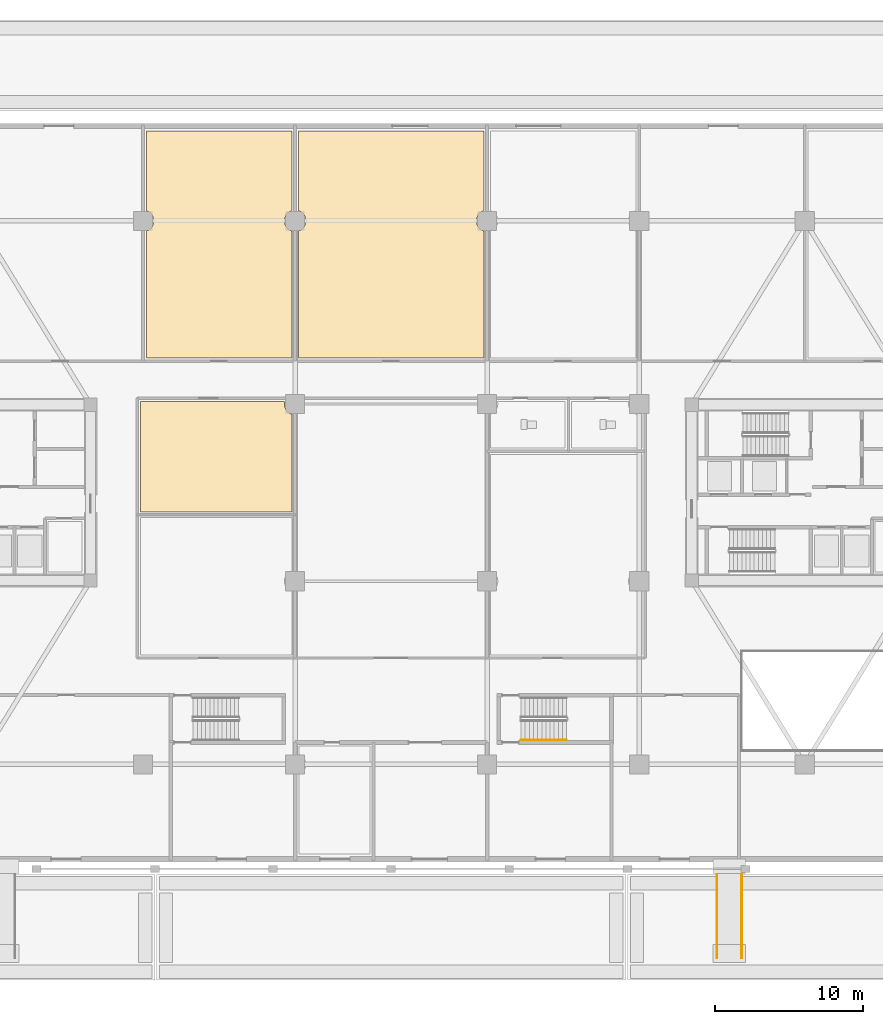
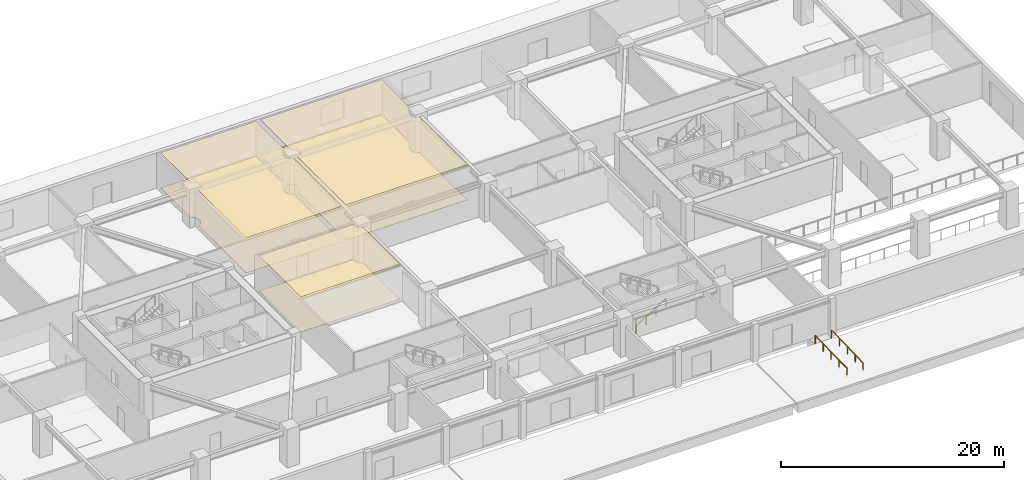
# One storey, part 16 of 22: 6 coverings, 3 railings.
"""IFC4 building model written with IfcOpenShell, lengths in metres."""

from ifc_helpers import new_model, si_unit, direction, frame, origin, origin_2d, place, context, subcontext, project, spatial, polyline, rectangle, outline, extrude, material, layer, layer_set, type_object, element, save


model = new_model("IFC4")

# Units and contexts
model_context = context("Model", 3, precision=1e-05, world=origin(), true_north=direction((0.0, 1.0)))
body_context = subcontext(model_context, "Body", "Model", "MODEL_VIEW")
ifc_project = project(units=[si_unit("LENGTHUNIT", "METRE"), si_unit("AREAUNIT", "SQUARE_METRE"), si_unit("VOLUMEUNIT", "CUBIC_METRE"), si_unit("PLANEANGLEUNIT", "RADIAN"), si_unit("MASSUNIT", "GRAM", prefix="KILO")], contexts=[model_context])

# Site, building, storey
site_placement = place(None, origin())
site = spatial("IfcSite", under=ifc_project, at=site_placement, CompositionType="ELEMENT")
building_placement = place(site_placement, origin())
building = spatial("IfcBuilding", under=site, at=building_placement, Name="Norrkilde Senior Care Towers", CompositionType="ELEMENT")
storey_placement = place(building_placement, origin())
storey = spatial("IfcBuildingStorey", under=building, at=storey_placement, Name="L00", CompositionType="ELEMENT", Elevation=0.0)

# Coverings
ifc_material_1 = material(Name="Nordic Ash Timber", Category="wood")
ifc_layer_1 = layer(ifc_material_1, 0.044921875)
ifc_layer_set_1 = layer_set([ifc_layer_1], Name="Nordic Ash Timber")
covering_type_1 = type_object("IfcCoveringType", Name="Acoustic Ash Timber Slatted Ceiling 45", PredefinedType="CEILING", material=ifc_layer_set_1)
covering_1_placement = place(storey_placement, frame((0.0, 0.0, 3.8349609375)))
element("IfcCovering", 1, at=covering_1_placement, inside=storey, type_object=covering_type_1, Name="L00 Suspended Ceiling 0015", PredefinedType="CEILING", context=body_context, shape_type="SweptSolid", body=[
    extrude(outline(polyline([(-6.280029296875, 9.1201171875), (-6.280029296875, 17.707763671875), (-6.135009765625, 17.767822265625), (-5.98388671875, 17.8837890625), (-5.867919921875, 18.034912109375), (-5.794921875, 18.211181640625), (-5.77001953125, 18.39990234375), (-5.794921875, 18.5888671875), (-5.867919921875, 18.764892578125), (-5.98388671875, 18.916259765625), (-6.135009765625, 19.0322265625), (-6.280029296875, 19.09228515625), (-6.280029296875, 24.47998046875), (6.280029296875, 24.47998046875), (6.280029296875, 19.09228515625), (6.135009765625, 19.0322265625), (5.98388671875, 18.916259765625), (5.867919921875, 18.764892578125), (5.794921875, 18.5888671875), (5.77001953125, 18.39990234375), (5.794921875, 18.211181640625), (5.867919921875, 18.034912109375), (5.98388671875, 17.8837890625), (6.135009765625, 17.767822265625), (6.280029296875, 17.707763671875), (6.280029296875, 9.1201171875), (-6.280029296875, 9.1201171875)])), origin(), (0.0, 0.0, 1.0), 0.044921875),
])
ifc_material_2 = material(Name="Gypsum Acoustic Board")
ifc_layer_2 = layer(ifc_material_2, 0.030029296875)
ifc_layer_set_2 = layer_set([ifc_layer_2], Name="Gypsum Acoustic Board")
covering_type_2 = type_object("IfcCoveringType", Name="Medical Cleanable Gypsum Ceiling 30", PredefinedType="CEILING", material=ifc_layer_set_2)
covering_2_placement = place(storey_placement, frame((0.0, 0.0, 3.85009765625)))
element("IfcCovering", 2, at=covering_2_placement, inside=storey, type_object=covering_type_2, Name="L00 Suspended Ceiling 0008", PredefinedType="CEILING", context=body_context, shape_type="SweptSolid", body=[
    extrude(outline(polyline([(-6.719970703125, -1.300048828125), (-16.97998046875, -1.300048828125), (-16.97998046875, 6.179931640625), (-7.206298828125, 6.179931640625), (-7.22998046875, 6.0), (-7.205078125, 5.81103515625), (-7.132080078125, 5.635009765625), (-7.01611328125, 5.48388671875), (-6.864990234375, 5.367919921875), (-6.719970703125, 5.307861328125), (-6.719970703125, -1.300048828125)])), origin(), (0.0, 0.0, 1.0), 0.02978515625),
])
covering_3_placement = place(storey_placement, frame((0.0, 0.0, 3.85009765625)))
element("IfcCovering", 3, at=covering_3_placement, inside=storey, type_object=covering_type_2, Name="L00 Suspended Ceiling 0014", PredefinedType="CEILING", context=body_context, shape_type="SweptSolid", body=[
    extrude(outline(polyline([(-16.580078125, 9.1201171875), (-16.580078125, 17.707763671875), (-16.43505859375, 17.767822265625), (-16.28369140625, 17.8837890625), (-16.167724609375, 18.034912109375), (-16.094970703125, 18.211181640625), (-16.070068359375, 18.39990234375), (-16.094970703125, 18.5888671875), (-16.167724609375, 18.764892578125), (-16.28369140625, 18.916259765625), (-16.43505859375, 19.0322265625), (-16.580078125, 19.09228515625), (-16.580078125, 24.47998046875), (-6.719970703125, 24.47998046875), (-6.719970703125, 19.09228515625), (-6.864990234375, 19.0322265625), (-7.01611328125, 18.916259765625), (-7.132080078125, 18.764892578125), (-7.205078125, 18.5888671875), (-7.22998046875, 18.39990234375), (-7.205078125, 18.211181640625), (-7.132080078125, 18.034912109375), (-7.01611328125, 17.8837890625), (-6.864990234375, 17.767822265625), (-6.719970703125, 17.707763671875), (-6.719970703125, 9.1201171875), (-16.580078125, 9.1201171875)])), origin(), (0.0, 0.0, 1.0), 0.02978515625),
])
ifc_material_3 = material(Name="Slip-Resistant Porcelain Stone", Category="masonry")
ifc_layer_3 = layer(ifc_material_3, 0.02490234375)
ifc_layer_set_3 = layer_set([ifc_layer_3], Name="Slip-Resistant Porcelain Stone")
covering_type_3 = type_object("IfcCoveringType", Name="Slip-Resistant Porcelain Flooring 25", PredefinedType="FLOORING", material=ifc_layer_set_3)
covering_4_placement = place(storey_placement, origin())
element("IfcCovering", 4, at=covering_4_placement, inside=storey, type_object=covering_type_3, Name="L00 Floor Finish 0008", PredefinedType="FLOORING", context=body_context, shape_type="SweptSolid", body=[
    extrude(outline(polyline([(-6.719970703125, -1.300048828125), (-16.97998046875, -1.300048828125), (-16.97998046875, 6.179931640625), (-7.206298828125, 6.179931640625), (-7.22998046875, 6.0), (-7.205078125, 5.81103515625), (-7.132080078125, 5.635009765625), (-7.01611328125, 5.48388671875), (-6.864990234375, 5.367919921875), (-6.719970703125, 5.307861328125), (-6.719970703125, -1.300048828125)])), origin(), (0.0, 0.0, 1.0), 0.02490234375),
])
covering_5_placement = place(storey_placement, origin())
element("IfcCovering", 5, at=covering_5_placement, inside=storey, type_object=covering_type_3, Name="L00 Floor Finish 0014", PredefinedType="FLOORING", context=body_context, shape_type="SweptSolid", body=[
    extrude(outline(polyline([(-16.580078125, 9.1201171875), (-16.580078125, 17.707763671875), (-16.43505859375, 17.767822265625), (-16.28369140625, 17.8837890625), (-16.167724609375, 18.034912109375), (-16.094970703125, 18.211181640625), (-16.070068359375, 18.39990234375), (-16.094970703125, 18.5888671875), (-16.167724609375, 18.764892578125), (-16.28369140625, 18.916259765625), (-16.43505859375, 19.0322265625), (-16.580078125, 19.09228515625), (-16.580078125, 24.47998046875), (-6.719970703125, 24.47998046875), (-6.719970703125, 19.09228515625), (-6.864990234375, 19.0322265625), (-7.01611328125, 18.916259765625), (-7.132080078125, 18.764892578125), (-7.205078125, 18.5888671875), (-7.22998046875, 18.39990234375), (-7.205078125, 18.211181640625), (-7.132080078125, 18.034912109375), (-7.01611328125, 17.8837890625), (-6.864990234375, 17.767822265625), (-6.719970703125, 17.707763671875), (-6.719970703125, 9.1201171875), (-16.580078125, 9.1201171875)])), origin(), (0.0, 0.0, 1.0), 0.02490234375),
])
covering_6_placement = place(storey_placement, origin())
element("IfcCovering", 6, at=covering_6_placement, inside=storey, type_object=covering_type_3, Name="L00 Floor Finish 0015", PredefinedType="FLOORING", context=body_context, shape_type="SweptSolid", body=[
    extrude(outline(polyline([(-6.280029296875, 9.1201171875), (-6.280029296875, 17.707763671875), (-6.135009765625, 17.767822265625), (-5.98388671875, 17.8837890625), (-5.867919921875, 18.034912109375), (-5.794921875, 18.211181640625), (-5.77001953125, 18.39990234375), (-5.794921875, 18.5888671875), (-5.867919921875, 18.764892578125), (-5.98388671875, 18.916259765625), (-6.135009765625, 19.0322265625), (-6.280029296875, 19.09228515625), (-6.280029296875, 24.47998046875), (6.280029296875, 24.47998046875), (6.280029296875, 19.09228515625), (6.135009765625, 19.0322265625), (5.98388671875, 18.916259765625), (5.867919921875, 18.764892578125), (5.794921875, 18.5888671875), (5.77001953125, 18.39990234375), (5.794921875, 18.211181640625), (5.867919921875, 18.034912109375), (5.98388671875, 17.8837890625), (6.135009765625, 17.767822265625), (6.280029296875, 17.707763671875), (6.280029296875, 9.1201171875), (-6.280029296875, 9.1201171875)])), origin(), (0.0, 0.0, 1.0), 0.02490234375),
])

# Railings
railing_type = type_object("IfcRailingType", Name="Wall and Stair Handrail 900", PredefinedType="HANDRAIL", material=ifc_material_1)
for number, where, name in (
    (7, (22.06005859375, -31.5, -0.159912109375), "L00 Accessible Ramp 3 W Handrail"),
    (8, (23.739990234375, -31.5, -0.159912109375), "L00 Accessible Ramp 3 E Handrail"),
):
    element("IfcRailing", number, at=place(storey_placement, frame(where)), inside=storey, type_object=railing_type, Name=name, PredefinedType="HANDRAIL", context=body_context, shape_type="SweptSolid", body=[
        extrude(rectangle(XDim=0.048095703125, YDim=0.048095703125, at=origin_2d()), frame((0.0, 0.0, 0.89599609375), z_axis=(0.0, 0.999693607707, 0.024752589976), x_axis=(-1.0, 0.0, 0.0)), (0.0, 0.0, 1.0), 5.651611328125),
        extrude(rectangle(XDim=0.0419921875, YDim=0.0419921875, at=origin_2d()), origin(), (0.0, 0.0, 1.0), 0.869873046875),
        extrude(rectangle(XDim=0.0419921875, YDim=0.0419921875, at=origin_2d()), frame((0.0, 1.41259765625, 0.034912109375)), (0.0, 0.0, 1.0), 0.869873046875),
        extrude(rectangle(XDim=0.0419921875, YDim=0.0419921875, at=origin_2d()), frame((0.0, 2.824951171875, 0.06982421875)), (0.0, 0.0, 1.0), 0.869873046875),
        extrude(rectangle(XDim=0.0419921875, YDim=0.0419921875, at=origin_2d()), frame((0.0, 4.2373046875, 0.10498046875)), (0.0, 0.0, 1.0), 0.869873046875),
        extrude(rectangle(XDim=0.0419921875, YDim=0.0419921875, at=origin_2d()), frame((0.0, 5.64990234375, 0.139892578125)), (0.0, 0.0, 1.0), 0.869873046875),
    ])
railing_placement = place(storey_placement, frame((8.800048828125, -16.75, 0.175048828125)))
element("IfcRailing", 9, at=railing_placement, inside=storey, type_object=railing_type, Name="L00 ST-P2 stair handrail 1", PredefinedType="HANDRAIL", context=body_context, shape_type="SweptSolid", body=[
    extrude(rectangle(XDim=0.048095703125, YDim=0.048095703125, at=origin_2d()), frame((0.0, 0.0, 0.8759765625), z_axis=(0.847979421464, 0.0, 0.530029150871), x_axis=(0.0, 1.0, 0.0)), (0.0, 0.0, 1.0), 3.632080078125),
    extrude(rectangle(XDim=0.0419921875, YDim=0.0419921875, at=origin_2d()), origin(), (0.0, 0.0, 1.0), 0.849853515625),
    extrude(rectangle(XDim=0.0419921875, YDim=0.0419921875, at=origin_2d()), frame((1.026611328125, 0.0, 0.6416015625)), (0.0, 0.0, 1.0), 0.849853515625),
    extrude(rectangle(XDim=0.0419921875, YDim=0.0419921875, at=origin_2d()), frame((2.05322265625, 0.0, 1.283447265625)), (0.0, 0.0, 1.0), 0.849853515625),
    extrude(rectangle(XDim=0.0419921875, YDim=0.0419921875, at=origin_2d()), frame((3.079833984375, 0.0, 1.925048828125)), (0.0, 0.0, 1.0), 0.849853515625),
])

save(model, "model.ifc")
